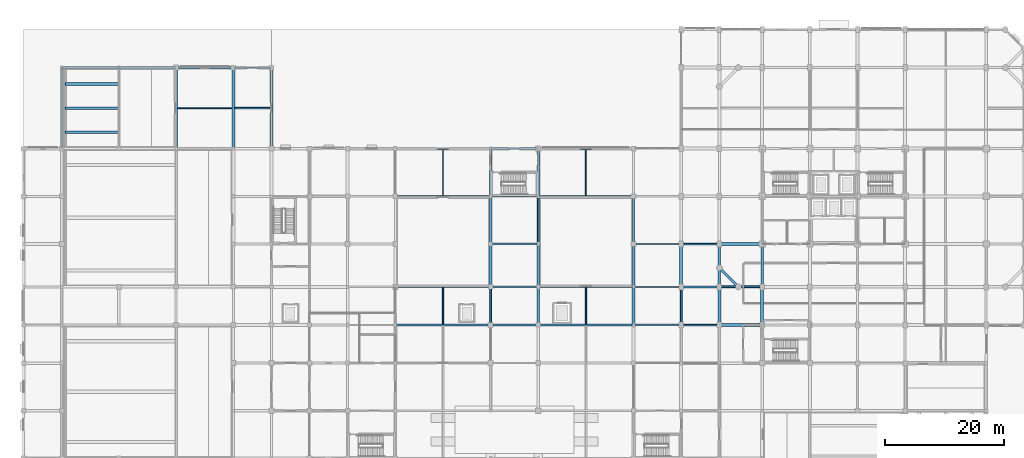
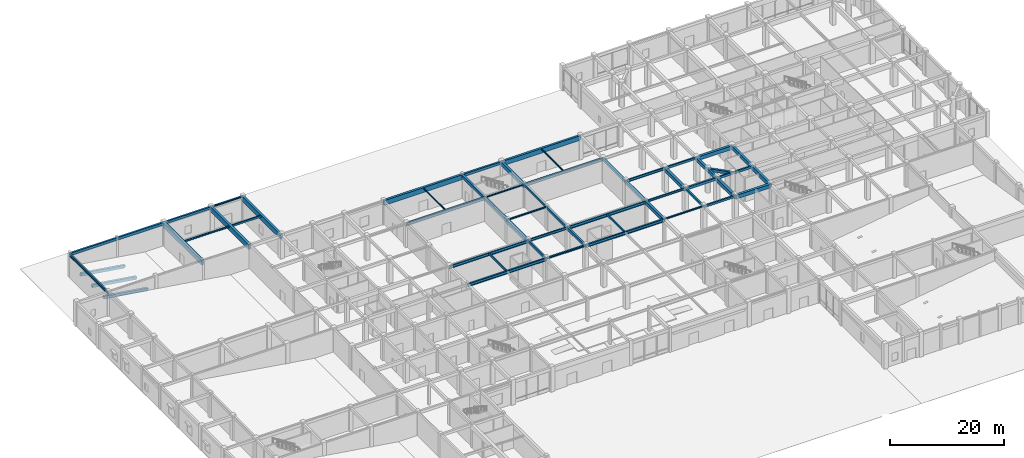
# One storey, part 14 of 40: 57 beams.
"""IFC4 building model written with IfcOpenShell, lengths in metres."""

from ifc_helpers import new_model, si_unit, direction, frame, origin, origin_2d, place, context, subcontext, project, spatial, rectangle, i_section, extrude, material, material_profile, profile_set, type_object, element, save


model = new_model("IFC4")

# Units and contexts
model_context = context("Model", 3, precision=1e-05, world=origin(), true_north=direction((0.0, 1.0)))
body_context = subcontext(model_context, "Body", "Model", "MODEL_VIEW")
ifc_project = project(units=[si_unit("LENGTHUNIT", "METRE"), si_unit("AREAUNIT", "SQUARE_METRE"), si_unit("VOLUMEUNIT", "CUBIC_METRE"), si_unit("PLANEANGLEUNIT", "RADIAN"), si_unit("MASSUNIT", "GRAM", prefix="KILO")], contexts=[model_context])

# Site, building, storey
site_placement = place(None, origin())
site = spatial("IfcSite", under=ifc_project, at=site_placement, CompositionType="ELEMENT")
building_placement = place(site_placement, origin())
building = spatial("IfcBuilding", under=site, at=building_placement, Name="Vellmiral Cinema and Media Centre", CompositionType="ELEMENT")
storey_placement = place(building_placement, origin())
storey = spatial("IfcBuildingStorey", under=building, at=storey_placement, Name="L00", CompositionType="ELEMENT", Elevation=0.0)

# Beams
ifc_material_1 = material(Name="Concrete C40/50", Category="concrete")
ifc_material_profile_1 = material_profile(ifc_material_1, rectangle(XDim=0.300048828125, YDim=0.449951171875, at=origin_2d()), Name="RC 300x450")
ifc_profile_set_1 = profile_set([ifc_material_profile_1], Name="Concrete C40/50")
beam_type_1 = type_object("IfcBeamType", Name="BM-RC-300x450", PredefinedType="BEAM", material=ifc_profile_set_1)
for number, where, z_axis, x_axis, name in (
    (1, (110.39990234375, 65.60009765625, 4.85009765625), (1.0, 0.0, 0.0), (0.0, 1.0, 0.0), "Grid Beam L00-X096"),
    (2, (110.39990234375, 79.199951171875, 4.85009765625), (1.0, 0.0, 0.0), (0.0, 1.0, 0.0), "Grid Beam L00-X129"),
):
    element("IfcBeam", number, at=place(storey_placement, frame(where, z_axis=z_axis, x_axis=x_axis)), inside=storey, type_object=beam_type_1, Name=name, PredefinedType="BEAM", context=body_context, shape_type="SweptSolid", body=[
        extrude(rectangle(XDim=0.300048828125, YDim=0.449951171875, at=origin_2d()), origin(), (0.0, 0.0, 1.0), 6.400146484375),
    ])
beam_1_placement = place(storey_placement, frame((86.39990234375, 79.199951171875, 4.85009765625), z_axis=(0.0, 1.0, 0.0), x_axis=(-1.0, 0.0, 0.0)))
element("IfcBeam", 3, at=beam_1_placement, inside=storey, type_object=beam_type_1, Name="Grid Beam L00-Y280", PredefinedType="BEAM", context=body_context, shape_type="SweptSolid", body=[
    extrude(rectangle(XDim=0.300048828125, YDim=0.449951171875, at=origin_2d()), origin(), (0.0, 0.0, 1.0), 8.0),
])
beam_2_placement = place(storey_placement, frame((110.39990234375, 65.60009765625, 4.85009765625), z_axis=(0.0, 1.0, 0.0), x_axis=(-1.0, 0.0, 0.0)))
element("IfcBeam", 4, at=beam_2_placement, inside=storey, type_object=beam_type_1, Name="Grid Beam L00-Y294", PredefinedType="BEAM", context=body_context, shape_type="SweptSolid", body=[
    extrude(rectangle(XDim=0.300048828125, YDim=0.449951171875, at=origin_2d()), origin(), (0.0, 0.0, 1.0), 6.39990234375),
])
ifc_material_2 = material(Name="Concrete C40/50", Category="concrete")
ifc_material_profile_2 = material_profile(ifc_material_2, rectangle(XDim=0.300048828125, YDim=0.5, at=origin_2d()), Name="RC 300x500")
ifc_profile_set_2 = profile_set([ifc_material_profile_2], Name="Concrete C40/50")
beam_type_2 = type_object("IfcBeamType", Name="BM-RC-300x500", PredefinedType="BEAM", material=ifc_profile_set_2)
beam_3_placement = place(storey_placement, frame((116.800048828125, 72.0, 4.824951171875), z_axis=(1.0, 0.0, 0.0), x_axis=(0.0, 1.0, 0.0)))
element("IfcBeam", 5, at=beam_3_placement, inside=storey, type_object=beam_type_2, Name="Grid Beam L00-X116", PredefinedType="BEAM", context=body_context, shape_type="SweptSolid", body=[
    extrude(rectangle(XDim=0.300048828125, YDim=0.5, at=origin_2d()), origin(), (0.0, 0.0, 1.0), 7.199951171875),
])
beam_4_placement = place(storey_placement, frame((78.39990234375, 65.60009765625, 4.824951171875), z_axis=(0.0, 1.0, 0.0), x_axis=(-1.0, 0.0, 0.0)))
element("IfcBeam", 6, at=beam_4_placement, inside=storey, type_object=beam_type_2, Name="Grid Beam L00-Y271", PredefinedType="BEAM", context=body_context, shape_type="SweptSolid", body=[
    extrude(rectangle(XDim=0.300048828125, YDim=0.5, at=origin_2d()), origin(), (0.0, 0.0, 1.0), 6.39990234375),
])
ifc_material_3 = material(Name="Concrete C40/50", Category="concrete")
ifc_material_profile_3 = material_profile(ifc_material_3, rectangle(XDim=0.35009765625, YDim=0.550048828125, at=origin_2d()), Name="RC 350x550")
ifc_profile_set_3 = profile_set([ifc_material_profile_3], Name="Concrete C40/50")
beam_type_3 = type_object("IfcBeamType", Name="BM-RC-350x550", PredefinedType="BEAM", material=ifc_profile_set_3)
beam_5_placement = place(storey_placement, frame((110.39990234375, 72.0, 4.800048828125), z_axis=(1.0, 0.0, 0.0), x_axis=(0.0, 1.0, 0.0)))
element("IfcBeam", 7, at=beam_5_placement, inside=storey, type_object=beam_type_3, Name="Grid Beam L00-X115", PredefinedType="BEAM", context=body_context, shape_type="SweptSolid", body=[
    extrude(rectangle(XDim=0.35009765625, YDim=0.550048828125, at=origin_2d()), origin(), (0.0, 0.0, 1.0), 6.400146484375),
])
beam_6_placement = place(storey_placement, frame((86.39990234375, 72.0, 4.800048828125), z_axis=(0.0, 1.0, 0.0), x_axis=(-1.0, 0.0, 0.0)))
element("IfcBeam", 8, at=beam_6_placement, inside=storey, type_object=beam_type_3, Name="Grid Beam L00-Y279", PredefinedType="BEAM", context=body_context, shape_type="SweptSolid", body=[
    extrude(rectangle(XDim=0.35009765625, YDim=0.550048828125, at=origin_2d()), origin(), (0.0, 0.0, 1.0), 7.199951171875),
])
beam_7_placement = place(storey_placement, frame((102.39990234375, 79.199951171875, 4.800048828125), z_axis=(0.0, 1.0, 0.0), x_axis=(-1.0, 0.0, 0.0)))
element("IfcBeam", 9, at=beam_7_placement, inside=storey, type_object=beam_type_3, Name="Grid Beam L00-Y288", PredefinedType="BEAM", context=body_context, shape_type="SweptSolid", body=[
    extrude(rectangle(XDim=0.35009765625, YDim=0.550048828125, at=origin_2d()), origin(), (0.0, 0.0, 1.0), 8.0),
])
ifc_material_4 = material(Name="Concrete C40/50", Category="concrete")
ifc_material_profile_4 = material_profile(ifc_material_4, rectangle(XDim=0.39990234375, YDim=0.60009765625, at=origin_2d()), Name="RC 400x600")
ifc_profile_set_4 = profile_set([ifc_material_profile_4], Name="Concrete C40/50")
beam_type_4 = type_object("IfcBeamType", Name="BM-RC-400x600", PredefinedType="BEAM", material=ifc_profile_set_4)
beam_8_placement = place(storey_placement, frame((86.39990234375, 65.60009765625, 4.77490234375), z_axis=(0.0, 1.0, 0.0), x_axis=(-1.0, 0.0, 0.0)))
element("IfcBeam", 10, at=beam_8_placement, inside=storey, type_object=beam_type_4, Name="Grid Beam L00-Y278", PredefinedType="BEAM", context=body_context, shape_type="SweptSolid", body=[
    extrude(rectangle(XDim=0.39990234375, YDim=0.60009765625, at=origin_2d()), origin(), (0.0, 0.0, 1.0), 6.39990234375),
])
ifc_material_5 = material(Name="Concrete C40/50", Category="concrete")
ifc_material_profile_5 = material_profile(ifc_material_5, rectangle(XDim=0.39990234375, YDim=0.64990234375, at=origin_2d()), Name="RC 400x650")
ifc_profile_set_5 = profile_set([ifc_material_profile_5], Name="Concrete C40/50")
beam_type_5 = type_object("IfcBeamType", Name="BM-RC-400x650", PredefinedType="BEAM", material=ifc_profile_set_5)
beam_9_placement = place(storey_placement, frame((78.39990234375, 87.199951171875, 4.75), z_axis=(0.0, 1.0, 0.0), x_axis=(-1.0, 0.0, 0.0)))
element("IfcBeam", 11, at=beam_9_placement, inside=storey, type_object=beam_type_5, Name="Grid Beam L00-Y274", PredefinedType="BEAM", context=body_context, shape_type="SweptSolid", body=[
    extrude(rectangle(XDim=0.39990234375, YDim=0.64990234375, at=origin_2d()), origin(), (0.0, 0.0, 1.0), 8.0),
])
beam_10_placement = place(storey_placement, frame((102.39990234375, 72.0, 4.75), z_axis=(0.0, 1.0, 0.0), x_axis=(-1.0, 0.0, 0.0)))
element("IfcBeam", 12, at=beam_10_placement, inside=storey, type_object=beam_type_5, Name="Grid Beam L00-Y287", PredefinedType="BEAM", context=body_context, shape_type="SweptSolid", body=[
    extrude(rectangle(XDim=0.39990234375, YDim=0.64990234375, at=origin_2d()), origin(), (0.0, 0.0, 1.0), 7.199951171875),
])
ifc_material_6 = material(Name="Concrete C40/50", Category="concrete")
ifc_material_profile_6 = material_profile(ifc_material_6, rectangle(XDim=0.449951171875, YDim=0.699951171875, at=origin_2d()), Name="RC 450x700")
ifc_profile_set_6 = profile_set([ifc_material_profile_6], Name="Concrete C40/50")
beam_type_6 = type_object("IfcBeamType", Name="BM-RC-450x700", PredefinedType="BEAM", material=ifc_profile_set_6)
beam_11_placement = place(storey_placement, frame((78.39990234375, 79.199951171875, 4.72509765625), z_axis=(0.0, 1.0, 0.0), x_axis=(-1.0, 0.0, 0.0)))
element("IfcBeam", 13, at=beam_11_placement, inside=storey, type_object=beam_type_6, Name="Grid Beam L00-Y273", PredefinedType="BEAM", context=body_context, shape_type="SweptSolid", body=[
    extrude(rectangle(XDim=0.449951171875, YDim=0.699951171875, at=origin_2d()), origin(), (0.0, 0.0, 1.0), 8.0),
])
beam_12_placement = place(storey_placement, frame((124.0, 72.0, 4.72509765625), z_axis=(0.0, 1.0, 0.0), x_axis=(-1.0, 0.0, 0.0)))
element("IfcBeam", 14, at=beam_12_placement, inside=storey, type_object=beam_type_6, Name="Grid Beam L00-Y319", PredefinedType="BEAM", context=body_context, shape_type="SweptSolid", body=[
    extrude(rectangle(XDim=0.449951171875, YDim=0.699951171875, at=origin_2d()), origin(), (0.0, 0.0, 1.0), 7.199951171875),
])
ifc_material_7 = material(Name="Concrete C40/50", Category="concrete")
ifc_material_profile_7 = material_profile(ifc_material_7, rectangle(XDim=0.449951171875, YDim=0.75, at=origin_2d()), Name="RC 450x750")
ifc_profile_set_7 = profile_set([ifc_material_profile_7], Name="Concrete C40/50")
beam_type_7 = type_object("IfcBeamType", Name="BM-RC-450x750", PredefinedType="BEAM", material=ifc_profile_set_7)
beam_13_placement = place(storey_placement, frame((102.39990234375, 65.60009765625, 4.699951171875), z_axis=(0.0, 1.0, 0.0), x_axis=(-1.0, 0.0, 0.0)))
element("IfcBeam", 15, at=beam_13_placement, inside=storey, type_object=beam_type_7, Name="Grid Beam L00-Y286", PredefinedType="BEAM", context=body_context, shape_type="SweptSolid", body=[
    extrude(rectangle(XDim=0.449951171875, YDim=0.75, at=origin_2d()), origin(), (0.0, 0.0, 1.0), 6.39990234375),
])
beam_14_placement = place(storey_placement, frame((116.800048828125, 72.0, 4.699951171875), z_axis=(0.0, 1.0, 0.0), x_axis=(-1.0, 0.0, 0.0)))
element("IfcBeam", 16, at=beam_14_placement, inside=storey, type_object=beam_type_7, Name="Grid Beam L00-Y307", PredefinedType="BEAM", context=body_context, shape_type="SweptSolid", body=[
    extrude(rectangle(XDim=0.449951171875, YDim=0.75, at=origin_2d()), origin(), (0.0, 0.0, 1.0), 7.199951171875),
])
ifc_material_8 = material(Name="Concrete C40/50", Category="concrete")
ifc_material_profile_8 = material_profile(ifc_material_8, rectangle(XDim=0.5, YDim=0.800048828125, at=origin_2d()), Name="RC 500x800")
ifc_profile_set_8 = profile_set([ifc_material_profile_8], Name="Concrete C40/50")
beam_type_8 = type_object("IfcBeamType", Name="BM-RC-500x800", PredefinedType="BEAM", material=ifc_profile_set_8)
for number, where, z_axis, x_axis, name in (
    (17, (116.800048828125, 65.60009765625, 4.675048828125), (1.0, 0.0, 0.0), (0.0, 1.0, 0.0), "Grid Beam L00-X097"),
    (18, (116.800048828125, 79.199951171875, 4.675048828125), (1.0, 0.0, 0.0), (0.0, 1.0, 0.0), "Grid Beam L00-X130"),
    (19, (110.39990234375, 72.0, 4.675048828125), (0.0, 1.0, 0.0), (-1.0, 0.0, 0.0), "Grid Beam L00-Y295"),
):
    element("IfcBeam", number, at=place(storey_placement, frame(where, z_axis=z_axis, x_axis=x_axis)), inside=storey, type_object=beam_type_8, Name=name, PredefinedType="BEAM", context=body_context, shape_type="SweptSolid", body=[
        extrude(rectangle(XDim=0.5, YDim=0.800048828125, at=origin_2d()), origin(), (0.0, 0.0, 1.0), 7.199951171875),
    ])
beam_15_placement = place(storey_placement, frame((124.0, 65.60009765625, 4.675048828125), z_axis=(0.0, 1.0, 0.0), x_axis=(-1.0, 0.0, 0.0)))
element("IfcBeam", 20, at=beam_15_placement, inside=storey, type_object=beam_type_8, Name="Grid Beam L00-Y318", PredefinedType="BEAM", context=body_context, shape_type="SweptSolid", body=[
    extrude(rectangle(XDim=0.5, YDim=0.800048828125, at=origin_2d()), origin(), (0.0, 0.0, 1.0), 6.39990234375),
])
ifc_material_9 = material(Name="Concrete C40/50", Category="concrete")
ifc_material_profile_9 = material_profile(ifc_material_9, rectangle(XDim=0.5, YDim=0.85009765625, at=origin_2d()), Name="RC 500x850")
ifc_profile_set_9 = profile_set([ifc_material_profile_9], Name="Concrete C40/50")
beam_type_9 = type_object("IfcBeamType", Name="BM-RC-500x850", PredefinedType="BEAM", material=ifc_profile_set_9)
beam_16_placement = place(storey_placement, frame((78.39990234375, 72.0, 4.64990234375), z_axis=(0.0, 1.0, 0.0), x_axis=(-1.0, 0.0, 0.0)))
element("IfcBeam", 21, at=beam_16_placement, inside=storey, type_object=beam_type_9, Name="Grid Beam L00-Y272", PredefinedType="BEAM", context=body_context, shape_type="SweptSolid", body=[
    extrude(rectangle(XDim=0.5, YDim=0.85009765625, at=origin_2d()), origin(), (0.0, 0.0, 1.0), 7.199951171875),
])
beam_17_placement = place(storey_placement, frame((86.39990234375, 87.199951171875, 4.64990234375), z_axis=(0.0, 1.0, 0.0), x_axis=(-1.0, 0.0, 0.0)))
element("IfcBeam", 22, at=beam_17_placement, inside=storey, type_object=beam_type_9, Name="Grid Beam L00-Y281", PredefinedType="BEAM", context=body_context, shape_type="SweptSolid", body=[
    extrude(rectangle(XDim=0.5, YDim=0.85009765625, at=origin_2d()), origin(), (0.0, 0.0, 1.0), 8.0),
])
beam_18_placement = place(storey_placement, frame((116.800048828125, 65.60009765625, 4.64990234375), z_axis=(0.0, 1.0, 0.0), x_axis=(-1.0, 0.0, 0.0)))
element("IfcBeam", 23, at=beam_18_placement, inside=storey, type_object=beam_type_9, Name="Grid Beam L00-Y306", PredefinedType="BEAM", context=body_context, shape_type="SweptSolid", body=[
    extrude(rectangle(XDim=0.5, YDim=0.85009765625, at=origin_2d()), origin(), (0.0, 0.0, 1.0), 6.39990234375),
])
ifc_material_10 = material(Name="Concrete C40/50", Category="concrete")
ifc_material_profile_10 = material_profile(ifc_material_10, rectangle(XDim=0.5, YDim=1.050048828125, at=origin_2d()), Name="RC 500x1050")
ifc_profile_set_10 = profile_set([ifc_material_profile_10], Name="Concrete C40/50")
beam_type_10 = type_object("IfcBeamType", Name="BM-RCG-500x1050", PredefinedType="BEAM", material=ifc_profile_set_10)
for number, where, z_axis, x_axis, name in (
    (24, (25.60009765625, 95.199951171875, 4.550048828125), (0.0, 1.0, 0.0), (-1.0, 0.0, 0.0), "Grid Beam L00-Y216"),
    (25, (35.199951171875, 95.199951171875, 4.550048828125), (0.0, 1.0, 0.0), (-1.0, 0.0, 0.0), "Grid Beam L00-Y228"),
):
    element("IfcBeam", number, at=place(storey_placement, frame(where, z_axis=z_axis, x_axis=x_axis)), inside=storey, type_object=beam_type_10, Name=name, PredefinedType="BEAM", context=body_context, shape_type="SweptSolid", body=[
        extrude(rectangle(XDim=0.5, YDim=1.050048828125, at=origin_2d()), origin(), (0.0, 0.0, 1.0), 13.60009765625),
    ])
ifc_material_11 = material(Name="Concrete C40/50", Category="concrete")
ifc_material_profile_11 = material_profile(ifc_material_11, rectangle(XDim=0.25, YDim=0.35009765625, at=origin_2d()), Name="RC 250x350")
ifc_profile_set_11 = profile_set([ifc_material_profile_11], Name="Concrete C40/50")
beam_type_11 = type_object("IfcBeamType", Name="JST-RC-250x350", PredefinedType="JOIST", material=ifc_profile_set_11)
for number, where, z_axis, x_axis, name in (
    (26, (70.39990234375, 65.75, 4.89990234375), (0.0, 1.0, 0.0), (-1.0, 0.0, 0.0), "Secondary Floor Joist L00-015"),
    (27, (94.39990234375, 65.75, 4.89990234375), (0.0, 1.0, 0.0), (-1.0, 0.0, 0.0), "Secondary Floor Joist L00-021"),
):
    element("IfcBeam", number, at=place(storey_placement, frame(where, z_axis=z_axis, x_axis=x_axis)), inside=storey, type_object=beam_type_11, Name=name, PredefinedType="JOIST", context=body_context, shape_type="SweptSolid", body=[
        extrude(rectangle(XDim=0.25, YDim=0.35009765625, at=origin_2d()), origin(), (0.0, 0.0, 1.0), 6.10009765625),
    ])
ifc_material_12 = material(Name="Concrete C40/50", Category="concrete")
ifc_material_profile_12 = material_profile(ifc_material_12, rectangle(XDim=0.260009765625, YDim=0.3798828125, at=origin_2d()), Name="RC 260x380")
ifc_profile_set_12 = profile_set([ifc_material_profile_12], Name="Concrete C40/50")
beam_type_12 = type_object("IfcBeamType", Name="JST-RC-260x380", PredefinedType="JOIST", material=ifc_profile_set_12)
beam_19_placement = place(storey_placement, frame((35.449951171875, 102.0, 4.885009765625), z_axis=(1.0, 0.0, 0.0), x_axis=(0.0, 1.0, 0.0)))
element("IfcBeam", 28, at=beam_19_placement, inside=storey, type_object=beam_type_12, Name="Secondary Floor Joist L00-008", PredefinedType="JOIST", context=body_context, shape_type="SweptSolid", body=[
    extrude(rectangle(XDim=0.260009765625, YDim=0.3798828125, at=origin_2d()), origin(), (0.0, 0.0, 1.0), 5.925048828125),
])
ifc_material_13 = material(Name="Concrete C40/50", Category="concrete")
ifc_material_profile_13 = material_profile(ifc_material_13, rectangle(XDim=0.449951171875, YDim=0.60009765625, at=origin_2d()), Name="RC 450x600")
ifc_profile_set_13 = profile_set([ifc_material_profile_13], Name="Concrete C40/50")
beam_type_13 = type_object("IfcBeamType", Name="RAKER-BM-450x600", PredefinedType="BEAM", material=ifc_profile_set_13)
for number, where, z_axis, x_axis, name in (
    (29, (7.0, 97.949951171875, 1.92529296875), (0.988756999008, 0.0, -0.14953125731), (0.0, 1.0, 0.0), "Cinema Screen 4 Raker Beam 1"),
    (30, (7.0, 102.0, 1.92529296875), (0.988756999008, 0.0, -0.14953125731), (0.0, 1.0, 0.0), "Cinema Screen 4 Raker Beam 2"),
    (31, (7.0, 106.050048828125, 1.92529296875), (0.988756999008, 0.0, -0.14953125731), (0.0, 1.0, 0.0), "Cinema Screen 4 Raker Beam 3"),
):
    element("IfcBeam", number, at=place(storey_placement, frame(where, z_axis=z_axis, x_axis=x_axis)), inside=storey, type_object=beam_type_13, Name=name, PredefinedType="BEAM", context=body_context, shape_type="SweptSolid", body=[
        extrude(rectangle(XDim=0.449951171875, YDim=0.60009765625, at=origin_2d()), origin(), (0.0, 0.0, 1.0), 9.102294921875),
    ])
ifc_material_14 = material(Name="Steel S355", Category="steel")
ifc_material_profile_14 = material_profile(ifc_material_14, i_section(OverallWidth=0.300048828125, OverallDepth=0.35009765625, WebThickness=0.010009765625, FlangeThickness=0.017578125, FilletRadius=0.027099609375, at=origin_2d()), Name="HEA 360")
ifc_profile_set_14 = profile_set([ifc_material_profile_14], Name="Steel S355")
beam_type_14 = type_object("IfcBeamType", Name="SBM-HEA360", PredefinedType="BEAM", material=ifc_profile_set_14)
beam_20_placement = place(storey_placement, frame((78.39990234375, 65.60009765625, 4.89990234375), z_axis=(1.0, 0.0, 0.0), x_axis=(0.0, 1.0, 0.0)))
element("IfcBeam", 32, at=beam_20_placement, inside=storey, type_object=beam_type_14, Name="Grid Beam L00-X093", PredefinedType="BEAM", context=body_context, shape_type="SweptSolid", body=[
    extrude(i_section(OverallWidth=0.300048828125, OverallDepth=0.35009765625, WebThickness=0.010009765625, FlangeThickness=0.017578125, FilletRadius=0.027099609375, at=origin_2d()), origin(), (0.0, 0.0, 1.0), 8.0),
])
ifc_material_15 = material(Name="Steel S355", Category="steel")
ifc_material_profile_15 = material_profile(ifc_material_15, i_section(OverallWidth=0.260009765625, OverallDepth=0.260009765625, WebThickness=0.010009765625, FlangeThickness=0.017578125, FilletRadius=0.02392578125, at=origin_2d()), Name="HEB 260")
ifc_profile_set_15 = profile_set([ifc_material_profile_15], Name="Steel S355")
beam_type_15 = type_object("IfcBeamType", Name="SBM-HEB260", PredefinedType="BEAM", material=ifc_profile_set_15)
for number, where, z_axis, x_axis, name in (
    (33, (102.39990234375, 65.60009765625, 4.945068359375), (1.0, 0.0, 0.0), (0.0, 1.0, 0.0), "Grid Beam L00-X095"),
    (34, (78.39990234375, 79.199951171875, 4.945068359375), (1.0, 0.0, 0.0), (0.0, 1.0, 0.0), "Grid Beam L00-X127"),
):
    element("IfcBeam", number, at=place(storey_placement, frame(where, z_axis=z_axis, x_axis=x_axis)), inside=storey, type_object=beam_type_15, Name=name, PredefinedType="BEAM", context=body_context, shape_type="SweptSolid", body=[
        extrude(i_section(OverallWidth=0.260009765625, OverallDepth=0.260009765625, WebThickness=0.010009765625, FlangeThickness=0.017578125, FilletRadius=0.02392578125, at=origin_2d()), origin(), (0.0, 0.0, 1.0), 8.0),
    ])
ifc_material_16 = material(Name="Steel S355", Category="steel")
ifc_material_profile_16 = material_profile(ifc_material_16, i_section(OverallWidth=0.280029296875, OverallDepth=0.280029296875, WebThickness=0.010498046875, FlangeThickness=0.01806640625, FilletRadius=0.02392578125, at=origin_2d()), Name="HEB 280")
ifc_profile_set_16 = profile_set([ifc_material_profile_16], Name="Steel S355")
beam_type_16 = type_object("IfcBeamType", Name="SBM-HEB280", PredefinedType="BEAM", material=ifc_profile_set_16)
beam_21_placement = place(storey_placement, frame((78.39990234375, 87.199951171875, 4.93505859375), z_axis=(1.0, 0.0, 0.0), x_axis=(0.0, 1.0, 0.0)))
element("IfcBeam", 35, at=beam_21_placement, inside=storey, type_object=beam_type_16, Name="Grid Beam L00-X142", PredefinedType="BEAM", context=body_context, shape_type="SweptSolid", body=[
    extrude(i_section(OverallWidth=0.280029296875, OverallDepth=0.280029296875, WebThickness=0.010498046875, FlangeThickness=0.01806640625, FilletRadius=0.02392578125, at=origin_2d()), origin(), (0.0, 0.0, 1.0), 8.0),
])
ifc_material_17 = material(Name="Steel S355", Category="steel")
ifc_material_profile_17 = material_profile(ifc_material_17, i_section(OverallWidth=0.300048828125, OverallDepth=0.300048828125, WebThickness=0.010986328125, FlangeThickness=0.01904296875, FilletRadius=0.027099609375, at=origin_2d()), Name="HEB 300")
ifc_profile_set_17 = profile_set([ifc_material_profile_17], Name="Steel S355")
beam_type_17 = type_object("IfcBeamType", Name="SBM-HEB300", PredefinedType="SPANDREL", material=ifc_profile_set_17)
beam_22_placement = place(storey_placement, frame((35.199951171875, 108.800048828125, 4.925048828125), z_axis=(1.0, 0.0, 0.0), x_axis=(0.0, 1.0, 0.0)))
element("IfcBeam", 36, at=beam_22_placement, inside=storey, type_object=beam_type_17, Name="Grid Beam L00-X174", PredefinedType="SPANDREL", context=body_context, shape_type="SweptSolid", body=[
    extrude(i_section(OverallWidth=0.300048828125, OverallDepth=0.300048828125, WebThickness=0.010986328125, FlangeThickness=0.01904296875, FilletRadius=0.027099609375, at=origin_2d()), origin(), (0.0, 0.0, 1.0), 6.400146484375),
])
ifc_material_18 = material(Name="Steel S355", Category="steel")
ifc_material_profile_18 = material_profile(ifc_material_18, i_section(OverallWidth=0.300048828125, OverallDepth=0.60009765625, WebThickness=0.015380859375, FlangeThickness=0.030029296875, FilletRadius=0.027099609375, at=origin_2d()), Name="HEB 600")
ifc_profile_set_18 = profile_set([ifc_material_profile_18], Name="Steel S355")
beam_type_18 = type_object("IfcBeamType", Name="SBM-HEB600-SPD", PredefinedType="SPANDREL", material=ifc_profile_set_18)
beam_23_placement = place(storey_placement, frame((6.39990234375, 95.199951171875, 4.77490234375), z_axis=(0.0, 1.0, 0.0), x_axis=(-1.0, 0.0, 0.0)))
element("IfcBeam", 37, at=beam_23_placement, inside=storey, type_object=beam_type_18, Name="Grid Beam L00-Y209", PredefinedType="SPANDREL", context=body_context, shape_type="SweptSolid", body=[
    extrude(i_section(OverallWidth=0.300048828125, OverallDepth=0.60009765625, WebThickness=0.015380859375, FlangeThickness=0.030029296875, FilletRadius=0.027099609375, at=origin_2d()), origin(), (0.0, 0.0, 1.0), 13.60009765625),
])
ifc_material_19 = material(Name="Steel S355", Category="steel")
ifc_material_profile_19 = material_profile(ifc_material_19, i_section(OverallWidth=0.300048828125, OverallDepth=0.64990234375, WebThickness=0.01611328125, FlangeThickness=0.031005859375, FilletRadius=0.027099609375, at=origin_2d()), Name="HEB 650")
ifc_profile_set_19 = profile_set([ifc_material_profile_19], Name="Steel S355")
beam_type_19 = type_object("IfcBeamType", Name="SBM-HEB650", PredefinedType="BEAM", material=ifc_profile_set_19)
for number, where, z_axis, x_axis, name in (
    (38, (62.39990234375, 65.60009765625, 4.75), (1.0, 0.0, 0.0), (0.0, 1.0, 0.0), "Grid Beam L00-X092"),
    (39, (86.39990234375, 65.60009765625, 4.75), (1.0, 0.0, 0.0), (0.0, 1.0, 0.0), "Grid Beam L00-X094"),
    (40, (62.39990234375, 72.0, 4.75), (1.0, 0.0, 0.0), (0.0, 1.0, 0.0), "Grid Beam L00-X111"),
    (41, (86.39990234375, 72.0, 4.75), (1.0, 0.0, 0.0), (0.0, 1.0, 0.0), "Grid Beam L00-X113"),
    (42, (62.39990234375, 87.199951171875, 4.75), (1.0, 0.0, 0.0), (0.0, 1.0, 0.0), "Grid Beam L00-X141"),
    (43, (86.39990234375, 87.199951171875, 4.75), (1.0, 0.0, 0.0), (0.0, 1.0, 0.0), "Grid Beam L00-X143"),
):
    element("IfcBeam", number, at=place(storey_placement, frame(where, z_axis=z_axis, x_axis=x_axis)), inside=storey, type_object=beam_type_19, Name=name, PredefinedType="BEAM", context=body_context, shape_type="SweptSolid", body=[
        extrude(i_section(OverallWidth=0.300048828125, OverallDepth=0.64990234375, WebThickness=0.01611328125, FlangeThickness=0.031005859375, FilletRadius=0.027099609375, at=origin_2d()), origin(), (0.0, 0.0, 1.0), 16.0),
    ])
ifc_material_20 = material(Name="Steel S355", Category="steel")
ifc_material_profile_20 = material_profile(ifc_material_20, i_section(OverallWidth=0.14990234375, OverallDepth=0.300048828125, WebThickness=0.007080078125, FlangeThickness=0.0107421875, FilletRadius=0.014892578125, at=origin_2d()), Name="IPE 300")
ifc_profile_set_20 = profile_set([ifc_material_profile_20], Name="Steel S355")
beam_type_20 = type_object("IfcBeamType", Name="SBM-IPE300", PredefinedType="JOIST", material=ifc_profile_set_20)
beam_24_placement = place(storey_placement, frame((70.39990234375, 87.35009765625, 4.925048828125), z_axis=(0.0, 1.0, 0.0), x_axis=(-1.0, 0.0, 0.0)))
element("IfcBeam", 44, at=beam_24_placement, inside=storey, type_object=beam_type_20, Name="Secondary Floor Joist L00-016", PredefinedType="JOIST", context=body_context, shape_type="SweptSolid", body=[
    extrude(i_section(OverallWidth=0.14990234375, OverallDepth=0.300048828125, WebThickness=0.007080078125, FlangeThickness=0.0107421875, FilletRadius=0.014892578125, at=origin_2d()), origin(), (0.0, 0.0, 1.0), 7.625),
])
beam_25_placement = place(storey_placement, frame((94.39990234375, 87.35009765625, 4.925048828125), z_axis=(0.0, 1.0, 0.0), x_axis=(-1.0, 0.0, 0.0)))
element("IfcBeam", 45, at=beam_25_placement, inside=storey, type_object=beam_type_20, Name="Secondary Floor Joist L00-022", PredefinedType="JOIST", context=body_context, shape_type="SweptSolid", body=[
    extrude(i_section(OverallWidth=0.14990234375, OverallDepth=0.300048828125, WebThickness=0.007080078125, FlangeThickness=0.0107421875, FilletRadius=0.014892578125, at=origin_2d()), origin(), (0.0, 0.0, 1.0), 7.639892578125),
])
ifc_material_21 = material(Name="Steel S355", Category="steel")
ifc_material_profile_21 = material_profile(ifc_material_21, i_section(OverallWidth=0.169921875, OverallDepth=0.360107421875, WebThickness=0.008056640625, FlangeThickness=0.0126953125, FilletRadius=0.01806640625, at=origin_2d()), Name="IPE 360")
ifc_profile_set_21 = profile_set([ifc_material_profile_21], Name="Steel S355")
beam_type_21 = type_object("IfcBeamType", Name="SBM-IPE360", PredefinedType="JOIST", material=ifc_profile_set_21)
beam_26_placement = place(storey_placement, frame((25.85009765625, 102.0, 4.89501953125), z_axis=(1.0, 0.0, 0.0), x_axis=(0.0, 1.0, 0.0)))
element("IfcBeam", 46, at=beam_26_placement, inside=storey, type_object=beam_type_21, Name="Secondary Floor Joist L00-005", PredefinedType="JOIST", context=body_context, shape_type="SweptSolid", body=[
    extrude(i_section(OverallWidth=0.169921875, OverallDepth=0.360107421875, WebThickness=0.008056640625, FlangeThickness=0.0126953125, FilletRadius=0.01806640625, at=origin_2d()), origin(), (0.0, 0.0, 1.0), 9.099853515625),
])
ifc_material_22 = material(Name="Steel S355", Category="steel")
ifc_material_profile_22 = material_profile(ifc_material_22, i_section(OverallWidth=0.18994140625, OverallDepth=0.449951171875, WebThickness=0.009521484375, FlangeThickness=0.0146484375, FilletRadius=0.02099609375, at=origin_2d()), Name="IPE 450")
ifc_profile_set_22 = profile_set([ifc_material_profile_22], Name="Steel S355")
beam_type_22 = type_object("IfcBeamType", Name="SBM-IPE450", PredefinedType="BEAM", material=ifc_profile_set_22)
beam_27_placement = place(storey_placement, frame((102.39990234375, 72.0, 4.85009765625), z_axis=(1.0, 0.0, 0.0), x_axis=(0.0, 1.0, 0.0)))
element("IfcBeam", 47, at=beam_27_placement, inside=storey, type_object=beam_type_22, Name="Grid Beam L00-X114", PredefinedType="BEAM", context=body_context, shape_type="SweptSolid", body=[
    extrude(i_section(OverallWidth=0.18994140625, OverallDepth=0.449951171875, WebThickness=0.009521484375, FlangeThickness=0.0146484375, FilletRadius=0.02099609375, at=origin_2d()), origin(), (0.0, 0.0, 1.0), 8.0),
])
ifc_material_23 = material(Name="Steel S355", Category="steel")
ifc_material_profile_23 = material_profile(ifc_material_23, i_section(OverallWidth=0.2099609375, OverallDepth=0.550048828125, WebThickness=0.010986328125, FlangeThickness=0.01708984375, FilletRadius=0.02392578125, at=origin_2d()), Name="IPE 550")
ifc_profile_set_23 = profile_set([ifc_material_profile_23], Name="Steel S355")
beam_type_23 = type_object("IfcBeamType", Name="SBM-IPE550", PredefinedType="BEAM", material=ifc_profile_set_23)
for number, where, z_axis, x_axis, name in (
    (48, (78.39990234375, 72.0, 4.800048828125), (1.0, 0.0, 0.0), (0.0, 1.0, 0.0), "Grid Beam L00-X112"),
    (49, (102.39990234375, 79.199951171875, 4.800048828125), (1.0, 0.0, 0.0), (0.0, 1.0, 0.0), "Grid Beam L00-X128"),
):
    element("IfcBeam", number, at=place(storey_placement, frame(where, z_axis=z_axis, x_axis=x_axis)), inside=storey, type_object=beam_type_23, Name=name, PredefinedType="BEAM", context=body_context, shape_type="SweptSolid", body=[
        extrude(i_section(OverallWidth=0.2099609375, OverallDepth=0.550048828125, WebThickness=0.010986328125, FlangeThickness=0.01708984375, FilletRadius=0.02392578125, at=origin_2d()), origin(), (0.0, 0.0, 1.0), 8.0),
    ])
ifc_material_24 = material(Name="Concrete C40/50", Category="concrete")
ifc_material_profile_24 = material_profile(ifc_material_24, rectangle(XDim=0.35009765625, YDim=0.56005859375, at=origin_2d()), Name="RC 350x560")
ifc_profile_set_24 = profile_set([ifc_material_profile_24], Name="Concrete C40/50")
beam_type_24 = type_object("IfcBeamType", Name="SPD-RC-350x560", PredefinedType="SPANDREL", material=ifc_profile_set_24)
beam_28_placement = place(storey_placement, frame((78.39990234375, 95.199951171875, 4.794921875), z_axis=(1.0, 0.0, 0.0), x_axis=(0.0, 1.0, 0.0)))
element("IfcBeam", 50, at=beam_28_placement, inside=storey, type_object=beam_type_24, Name="Grid Beam L00-X161", PredefinedType="SPANDREL", context=body_context, shape_type="SweptSolid", body=[
    extrude(rectangle(XDim=0.35009765625, YDim=0.56005859375, at=origin_2d()), origin(), (0.0, 0.0, 1.0), 8.0),
])
beam_29_placement = place(storey_placement, frame((6.39990234375, 108.800048828125, 4.794921875), z_axis=(1.0, 0.0, 0.0), x_axis=(0.0, 1.0, 0.0)))
element("IfcBeam", 51, at=beam_29_placement, inside=storey, type_object=beam_type_24, Name="Grid Beam L00-X171", PredefinedType="SPANDREL", context=body_context, shape_type="SweptSolid", body=[
    extrude(rectangle(XDim=0.35009765625, YDim=0.56005859375, at=origin_2d()), origin(), (0.0, 0.0, 1.0), 9.60009765625),
])
ifc_material_25 = material(Name="Concrete C40/50", Category="concrete")
ifc_material_profile_25 = material_profile(ifc_material_25, rectangle(XDim=0.39990234375, YDim=0.60009765625, at=origin_2d()), Name="RC 400x600")
ifc_profile_set_25 = profile_set([ifc_material_profile_25], Name="Concrete C40/50")
beam_type_25 = type_object("IfcBeamType", Name="SPD-RC-400x600", PredefinedType="SPANDREL", material=ifc_profile_set_25)
beam_30_placement = place(storey_placement, frame((116.800048828125, 75.199951171875, 4.77490234375), z_axis=(0.707106781187, -0.707106781187, 0.0), x_axis=(0.707106781187, 0.707106781187, 0.0)))
element("IfcBeam", 52, at=beam_30_placement, inside=storey, type_object=beam_type_25, Name="Xamfra Chamfer Spandrel Beam L00-369", PredefinedType="SPANDREL", context=body_context, shape_type="SweptSolid", body=[
    extrude(rectangle(XDim=0.39990234375, YDim=0.60009765625, at=origin_2d()), origin(), (0.0, 0.0, 1.0), 4.525390625),
])
ifc_material_26 = material(Name="Concrete C40/50", Category="concrete")
ifc_material_profile_26 = material_profile(ifc_material_26, rectangle(XDim=0.449951171875, YDim=1.050048828125, at=origin_2d()), Name="RC 450x1050")
ifc_profile_set_26 = profile_set([ifc_material_profile_26], Name="Concrete C40/50")
beam_type_26 = type_object("IfcBeamType", Name="SPD-RCG-450x1050", PredefinedType="SPANDREL", material=ifc_profile_set_26)
beam_31_placement = place(storey_placement, frame((62.39990234375, 95.199951171875, 4.550048828125), z_axis=(1.0, 0.0, 0.0), x_axis=(0.0, 1.0, 0.0)))
element("IfcBeam", 53, at=beam_31_placement, inside=storey, type_object=beam_type_26, Name="Grid Beam L00-X160", PredefinedType="SPANDREL", context=body_context, shape_type="SweptSolid", body=[
    extrude(rectangle(XDim=0.449951171875, YDim=1.050048828125, at=origin_2d()), origin(), (0.0, 0.0, 1.0), 16.0),
])
beam_32_placement = place(storey_placement, frame((41.60009765625, 95.199951171875, 4.550048828125), z_axis=(0.0, 1.0, 0.0), x_axis=(-1.0, 0.0, 0.0)))
element("IfcBeam", 54, at=beam_32_placement, inside=storey, type_object=beam_type_26, Name="Grid Beam L00-Y240", PredefinedType="SPANDREL", context=body_context, shape_type="SweptSolid", body=[
    extrude(rectangle(XDim=0.449951171875, YDim=1.050048828125, at=origin_2d()), origin(), (0.0, 0.0, 1.0), 13.60009765625),
])
ifc_material_27 = material(Name="Vosges Red Sandstone Masonry", Category="masonry")
ifc_material_profile_27 = material_profile(ifc_material_27, rectangle(XDim=0.340087890625, YDim=0.52001953125, at=origin_2d()), Name="SAND 340x520")
ifc_profile_set_27 = profile_set([ifc_material_profile_27], Name="Vosges Red Sandstone Masonry")
beam_type_27 = type_object("IfcBeamType", Name="SPD-SAND-340x520", PredefinedType="SPANDREL", material=ifc_profile_set_27)
beam_33_placement = place(storey_placement, frame((25.60009765625, 108.800048828125, 4.81494140625), z_axis=(1.0, 0.0, 0.0), x_axis=(0.0, 1.0, 0.0)))
element("IfcBeam", 55, at=beam_33_placement, inside=storey, type_object=beam_type_27, Name="Grid Beam L00-X173", PredefinedType="SPANDREL", context=body_context, shape_type="SweptSolid", body=[
    extrude(rectangle(XDim=0.340087890625, YDim=0.52001953125, at=origin_2d()), origin(), (0.0, 0.0, 1.0), 9.599853515625),
])
ifc_material_28 = material(Name="Vosges Red Sandstone Masonry", Category="masonry")
ifc_material_profile_28 = material_profile(ifc_material_28, rectangle(XDim=0.3798828125, YDim=0.580078125, at=origin_2d()), Name="SAND 380x580")
ifc_profile_set_28 = profile_set([ifc_material_profile_28], Name="Vosges Red Sandstone Masonry")
beam_type_28 = type_object("IfcBeamType", Name="SPD-SAND-380x580", PredefinedType="SPANDREL", material=ifc_profile_set_28)
beam_34_placement = place(storey_placement, frame((16.0, 108.800048828125, 4.784912109375), z_axis=(1.0, 0.0, 0.0), x_axis=(0.0, 1.0, 0.0)))
element("IfcBeam", 56, at=beam_34_placement, inside=storey, type_object=beam_type_28, Name="Grid Beam L00-X172", PredefinedType="SPANDREL", context=body_context, shape_type="SweptSolid", body=[
    extrude(rectangle(XDim=0.3798828125, YDim=0.580078125, at=origin_2d()), origin(), (0.0, 0.0, 1.0), 9.60009765625),
])
ifc_material_29 = material(Name="Vosges Red Sandstone Masonry", Category="masonry")
ifc_material_profile_29 = material_profile(ifc_material_29, rectangle(XDim=0.419921875, YDim=1.0, at=origin_2d()), Name="SAND 420x1000")
ifc_profile_set_29 = profile_set([ifc_material_profile_29], Name="Vosges Red Sandstone Masonry")
beam_type_29 = type_object("IfcBeamType", Name="SPD-SANDG-420x1000", PredefinedType="SPANDREL", material=ifc_profile_set_29)
beam_35_placement = place(storey_placement, frame((86.39990234375, 95.199951171875, 4.574951171875), z_axis=(1.0, 0.0, 0.0), x_axis=(0.0, 1.0, 0.0)))
element("IfcBeam", 57, at=beam_35_placement, inside=storey, type_object=beam_type_29, Name="Grid Beam L00-X162", PredefinedType="SPANDREL", context=body_context, shape_type="SweptSolid", body=[
    extrude(rectangle(XDim=0.419921875, YDim=1.0, at=origin_2d()), origin(), (0.0, 0.0, 1.0), 16.0),
])

save(model, "model.ifc")
